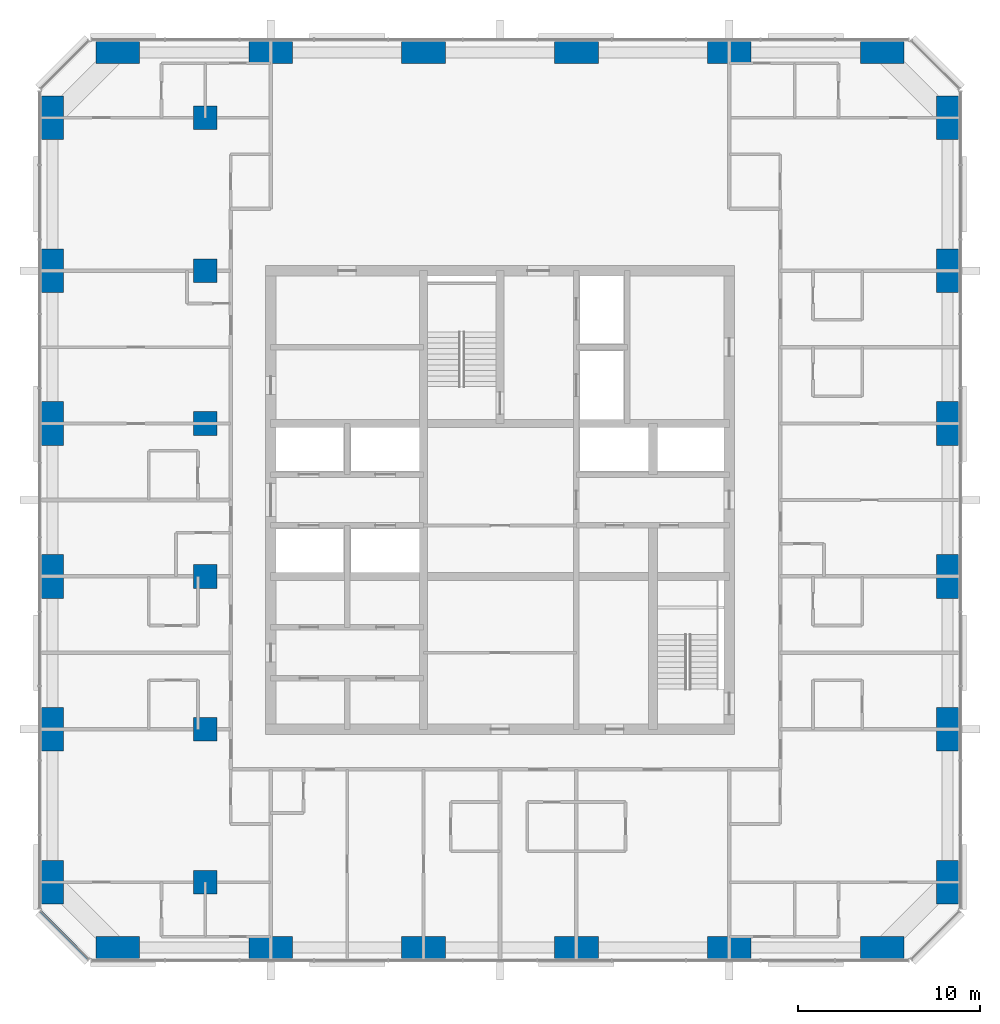
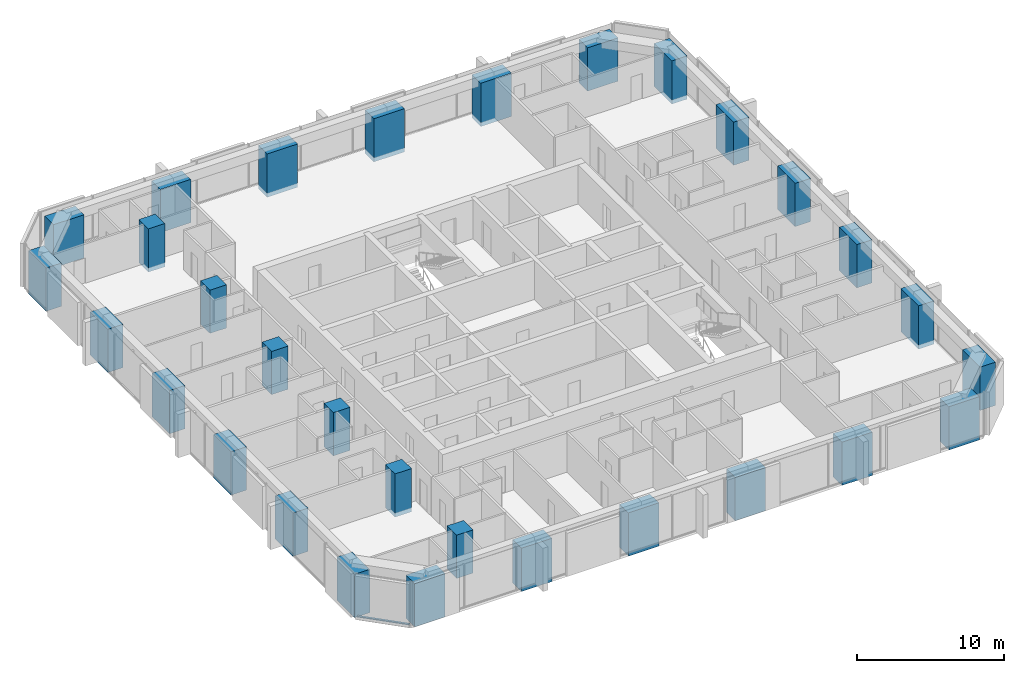
# One storey, part 1 of 13: 30 columns, 1 member, 1 element without a shape of its own.
"""IFC4 building model written with IfcOpenShell, lengths in metres."""

from ifc_helpers import new_model, si_unit, direction, frame, origin, origin_2d, place, context, subcontext, project, spatial, rectangle, extrude, material, material_profile, profile_set, type_object, element, aggregate, save


model = new_model("IFC4")

# Units and contexts
model_context = context("Model", 3, precision=1e-05, world=origin(), true_north=direction((0.0, 1.0)))
body_context = subcontext(model_context, "Body", "Model", "MODEL_VIEW")
ifc_project = project(units=[si_unit("LENGTHUNIT", "METRE"), si_unit("AREAUNIT", "SQUARE_METRE"), si_unit("VOLUMEUNIT", "CUBIC_METRE"), si_unit("PLANEANGLEUNIT", "RADIAN"), si_unit("MASSUNIT", "GRAM", prefix="KILO")], contexts=[model_context])

# Site, building, storey
site_placement = place(None, origin())
site = spatial("IfcSite", under=ifc_project, at=site_placement, CompositionType="ELEMENT")
building_placement = place(site_placement, origin())
building = spatial("IfcBuilding", under=site, at=building_placement, Name="Dunama Terrace Hotel", CompositionType="ELEMENT")
storey_placement = place(building_placement, frame((0.0, 0.0, 209.39990234375)))
storey = spatial("IfcBuildingStorey", under=building, at=storey_placement, Name="L54", CompositionType="ELEMENT", Elevation=209.39990234375)

# Columns
ifc_material_1 = material(Name="Concrete C60/75", Category="concrete")
ifc_material_profile_1 = material_profile(ifc_material_1, rectangle(XDim=1.199951171875, YDim=2.39990234375, at=origin_2d()), Name="RC 1200x2400")
ifc_profile_set_1 = profile_set([ifc_material_profile_1], Name="Concrete C60/75")
column_type_1 = type_object("IfcColumnType", Name="Column RC 1200x2400", PredefinedType="COLUMN", material=ifc_profile_set_1)
for number, where, z_axis, x_axis, name in (
    (1, (4.800048828125, 8.39990234375, -0.349853515625), (0.0, 0.0, 1.0), (1.0, 0.0, 0.0), "Column L54 +4.8/+8.4"),
    (2, (4.800048828125, 16.800048828125, -0.349853515625), (0.0, 0.0, 1.0), (1.0, 0.0, 0.0), "Column L54 +4.8/+16.8"),
    (3, (4.800048828125, 25.199951171875, -0.349853515625), (0.0, 0.0, 1.0), (1.0, 0.0, 0.0), "Column L54 +4.8/+25.2"),
    (4, (4.800048828125, 33.60009765625, -0.349853515625), (0.0, 0.0, 1.0), (1.0, 0.0, 0.0), "Column L54 +4.8/+33.6"),
    (5, (4.800048828125, 42.0, -0.349853515625), (0.0, 0.0, 1.0), (1.0, 0.0, 0.0), "Column L54 +4.8/+42.0"),
    (6, (4.800048828125, 50.39990234375, -0.349853515625), (0.0, 0.0, 1.0), (1.0, 0.0, 0.0), "Column L54 +4.8/+50.4"),
    (7, (54.0, 8.39990234375, -0.349853515625), (0.0, 0.0, 1.0), (1.0, 0.0, 0.0), "Column L54 +54.0/+8.4"),
    (8, (54.0, 16.800048828125, -0.349853515625), (0.0, 0.0, 1.0), (1.0, 0.0, 0.0), "Column L54 +54.0/+16.8"),
    (9, (54.0, 25.199951171875, -0.349853515625), (0.0, 0.0, 1.0), (1.0, 0.0, 0.0), "Column L54 +54.0/+25.2"),
    (10, (54.0, 33.60009765625, -0.349853515625), (0.0, 0.0, 1.0), (1.0, 0.0, 0.0), "Column L54 +54.0/+33.6"),
    (11, (54.0, 42.0, -0.349853515625), (0.0, 0.0, 1.0), (1.0, 0.0, 0.0), "Column L54 +54.0/+42.0"),
    (12, (54.0, 50.39990234375, -0.349853515625), (0.0, 0.0, 1.0), (1.0, 0.0, 0.0), "Column L54 +54.0/+50.4"),
):
    element("IfcColumn", number, at=place(storey_placement, frame(where, z_axis=z_axis, x_axis=x_axis)), inside=storey, type_object=column_type_1, Name=name, PredefinedType="COLUMN", context=body_context, shape_type="SweptSolid", body=[
        extrude(rectangle(XDim=1.199951171875, YDim=2.39990234375, at=origin_2d()), origin(), (0.0, 0.0, 1.0), 3.599853515625),
    ])
ifc_material_2 = material(Name="Concrete C60/75", Category="concrete")
ifc_material_profile_2 = material_profile(ifc_material_2, rectangle(XDim=1.300048828125, YDim=1.300048828125, at=origin_2d()), Name="RC 1300x1300")
ifc_profile_set_2 = profile_set([ifc_material_profile_2], Name="Concrete C60/75")
column_type_2 = type_object("IfcColumnType", Name="Column RC 1300x1300", PredefinedType="COLUMN", material=ifc_profile_set_2)
for number, where, z_axis, x_axis, name in (
    (13, (13.199951171875, 8.39990234375, -0.349853515625), (0.0, 0.0, 1.0), (1.0, 0.0, 0.0), "Column L54 +13.2/+8.4"),
    (14, (13.199951171875, 16.800048828125, -0.349853515625), (0.0, 0.0, 1.0), (1.0, 0.0, 0.0), "Column L54 +13.2/+16.8"),
    (15, (13.199951171875, 25.199951171875, -0.349853515625), (0.0, 0.0, 1.0), (1.0, 0.0, 0.0), "Column L54 +13.2/+25.2"),
    (16, (13.199951171875, 33.60009765625, -0.349853515625), (0.0, 0.0, 1.0), (1.0, 0.0, 0.0), "Column L54 +13.2/+33.6"),
    (17, (13.199951171875, 42.0, -0.349853515625), (0.0, 0.0, 1.0), (1.0, 0.0, 0.0), "Column L54 +13.2/+42.0"),
    (18, (13.199951171875, 50.39990234375, -0.349853515625), (0.0, 0.0, 1.0), (1.0, 0.0, 0.0), "Column L54 +13.2/+50.4"),
):
    element("IfcColumn", number, at=place(storey_placement, frame(where, z_axis=z_axis, x_axis=x_axis)), inside=storey, type_object=column_type_2, Name=name, PredefinedType="COLUMN", context=body_context, shape_type="SweptSolid", body=[
        extrude(rectangle(XDim=1.300048828125, YDim=1.300048828125, at=origin_2d()), origin(), (0.0, 0.0, 1.0), 3.599853515625),
    ])
ifc_material_3 = material(Name="Concrete C60/75", Category="concrete")
ifc_material_profile_3 = material_profile(ifc_material_3, rectangle(XDim=2.39990234375, YDim=1.199951171875, at=origin_2d()), Name="RC 2400x1200")
ifc_profile_set_3 = profile_set([ifc_material_profile_3], Name="Concrete C60/75")
column_type_3 = type_object("IfcColumnType", Name="Column RC 2400x1200", PredefinedType="COLUMN", material=ifc_profile_set_3)
for number, where, z_axis, x_axis, name in (
    (19, (8.39990234375, 4.800048828125, -0.349853515625), (0.0, 0.0, 1.0), (1.0, 0.0, 0.0), "Column L54 +8.4/+4.8"),
    (20, (8.39990234375, 54.0, -0.349853515625), (0.0, 0.0, 1.0), (1.0, 0.0, 0.0), "Column L54 +8.4/+54.0"),
    (21, (16.800048828125, 4.800048828125, -0.349853515625), (0.0, 0.0, 1.0), (1.0, 0.0, 0.0), "Column L54 +16.8/+4.8"),
    (22, (16.800048828125, 54.0, -0.349853515625), (0.0, 0.0, 1.0), (1.0, 0.0, 0.0), "Column L54 +16.8/+54.0"),
    (23, (25.199951171875, 4.800048828125, -0.349853515625), (0.0, 0.0, 1.0), (1.0, 0.0, 0.0), "Column L54 +25.2/+4.8"),
    (24, (25.199951171875, 54.0, -0.349853515625), (0.0, 0.0, 1.0), (1.0, 0.0, 0.0), "Column L54 +25.2/+54.0"),
    (25, (33.60009765625, 4.800048828125, -0.349853515625), (0.0, 0.0, 1.0), (1.0, 0.0, 0.0), "Column L54 +33.6/+4.8"),
    (26, (33.60009765625, 54.0, -0.349853515625), (0.0, 0.0, 1.0), (1.0, 0.0, 0.0), "Column L54 +33.6/+54.0"),
    (27, (42.0, 4.800048828125, -0.349853515625), (0.0, 0.0, 1.0), (1.0, 0.0, 0.0), "Column L54 +42.0/+4.8"),
    (28, (42.0, 54.0, -0.349853515625), (0.0, 0.0, 1.0), (1.0, 0.0, 0.0), "Column L54 +42.0/+54.0"),
    (29, (50.39990234375, 4.800048828125, -0.349853515625), (0.0, 0.0, 1.0), (1.0, 0.0, 0.0), "Column L54 +50.4/+4.8"),
    (30, (50.39990234375, 54.0, -0.349853515625), (0.0, 0.0, 1.0), (1.0, 0.0, 0.0), "Column L54 +50.4/+54.0"),
):
    element("IfcColumn", number, at=place(storey_placement, frame(where, z_axis=z_axis, x_axis=x_axis)), inside=storey, type_object=column_type_3, Name=name, PredefinedType="COLUMN", context=body_context, shape_type="SweptSolid", body=[
        extrude(rectangle(XDim=2.39990234375, YDim=1.199951171875, at=origin_2d()), origin(), (0.0, 0.0, 1.0), 3.599853515625),
    ])

# Curtain wall, member
ifc_material_4 = material(Name="Aluminium curtain wall system", Category="aluminium")
curtain_wall_type = type_object("IfcCurtainWallType", Name="Unitised fritted glass wall CW-C", PredefinedType="NOTDEFINED", material=ifc_material_4)
curtain_wall_placement = place(storey_placement, origin())
curtain_wall = element("IfcCurtainWall", 31, at=curtain_wall_placement, inside=storey, type_object=curtain_wall_type, Name="Unitised fritted glass wall CW-C L54", PredefinedType="NOTDEFINED")
ifc_material_5 = material(Name="Aluminium transom", Category="aluminium")
ifc_material_profile_4 = material_profile(ifc_material_5, rectangle(XDim=0.159912109375, YDim=0.080078125, at=origin_2d()), Name="CWC TRANSOM 160X80")
ifc_profile_set_4 = profile_set([ifc_material_profile_4], Name="Aluminium transom")
member_type = type_object("IfcMemberType", Name="CWC transom 160x80", PredefinedType="USERDEFINED", material=ifc_profile_set_4)
member_placement = place(storey_placement, frame((4.178955078125, 6.780029296875, 0.0400390625), z_axis=(0.707106781187, -0.707106781187, 0.0), x_axis=(0.707106781187, 0.707106781187, 0.0)))
member = element("IfcMember", 32, at=member_placement, type_object=member_type, Name="CWC transom", ObjectType="TRANSOM", PredefinedType="USERDEFINED", context=body_context, shape_type="SweptSolid", body=[
    extrude(rectangle(XDim=0.159912109375, YDim=0.080078125, at=origin_2d()), origin(), (0.0, 0.0, 1.0), 3.678466796875),
])
aggregate(curtain_wall, [member])

save(model, "model.ifc")
